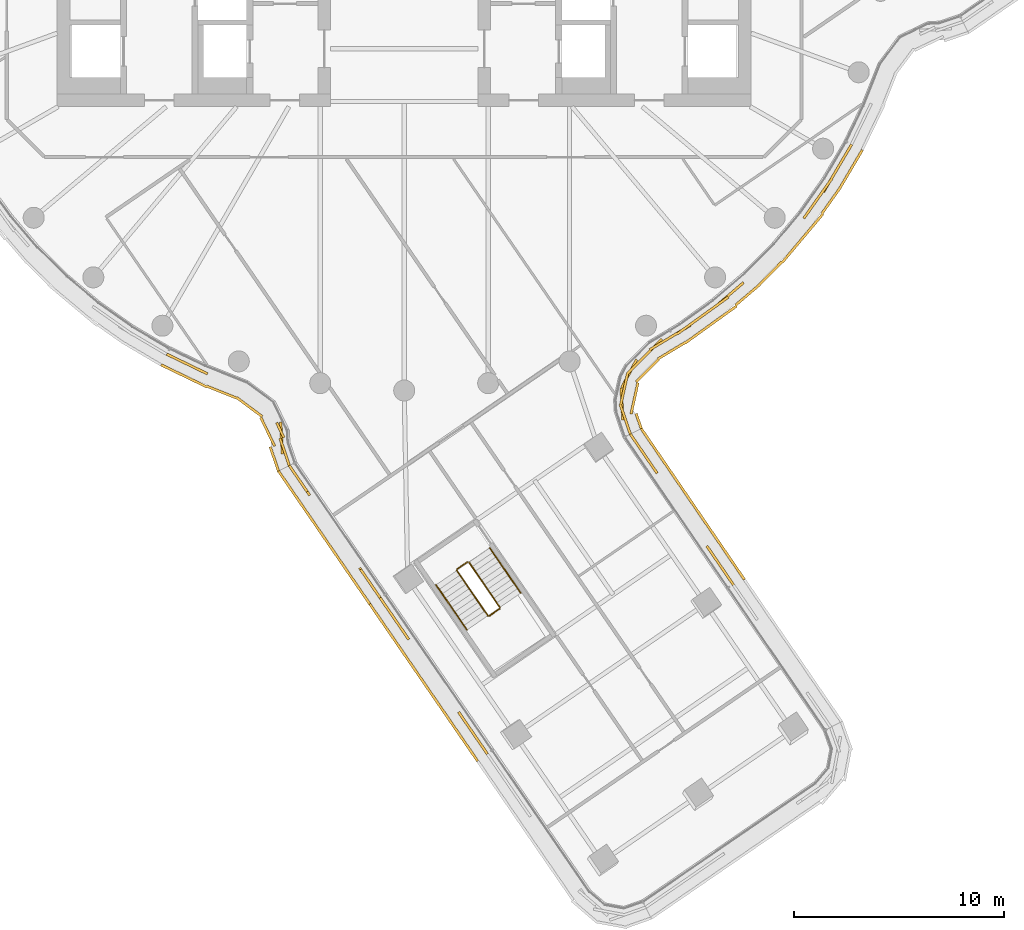
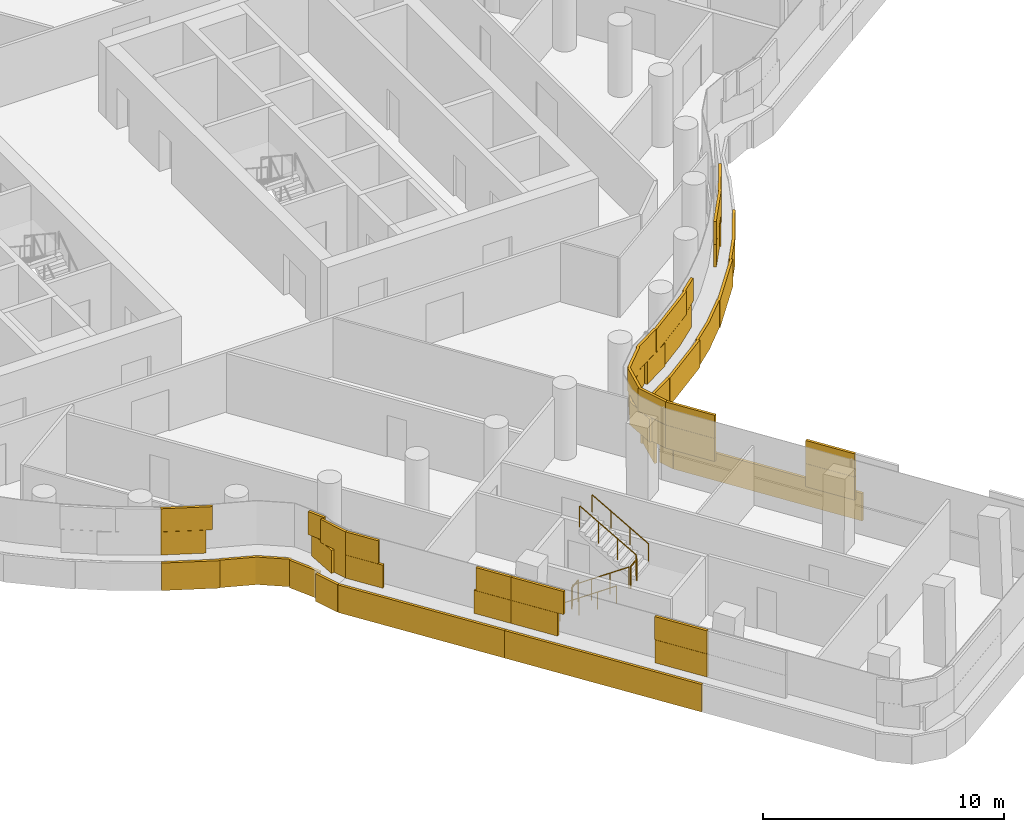
# One storey, part 28 of 33: 6 railings, 5 coverings.
"""IFC4 building model written with IfcOpenShell, lengths in metres."""

from ifc_helpers import new_model, si_unit, direction, frame, origin, origin_2d, place, context, subcontext, project, spatial, rectangle, circle, extrude, material, layer, layer_set, type_object, element, save


model = new_model("IFC4")

# Units and contexts
model_context = context("Model", 3, precision=1e-05, world=origin(), true_north=direction((0.0, 1.0)))
body_context = subcontext(model_context, "Body", "Model", "MODEL_VIEW")
ifc_project = project(units=[si_unit("LENGTHUNIT", "METRE"), si_unit("AREAUNIT", "SQUARE_METRE"), si_unit("VOLUMEUNIT", "CUBIC_METRE"), si_unit("PLANEANGLEUNIT", "RADIAN"), si_unit("MASSUNIT", "GRAM", prefix="KILO")], contexts=[model_context])

# Site, building, storey
site_placement = place(None, origin())
site = spatial("IfcSite", under=ifc_project, at=site_placement, CompositionType="ELEMENT")
building_placement = place(site_placement, origin())
building = spatial("IfcBuilding", under=site, at=building_placement, Name="Tamarind Cross Interchange Tower", CompositionType="ELEMENT")
storey_placement = place(building_placement, frame((0.0, 0.0, 159.25)))
storey = spatial("IfcBuildingStorey", under=building, at=storey_placement, Name="L39", CompositionType="ELEMENT", Elevation=159.25)

# Railings
ifc_material_1 = material(Name="Stair guard")
railing_type_1 = type_object("IfcRailingType", Name="Stair guard", PredefinedType="GUARDRAIL", material=ifc_material_1)
railing_1_placement = place(storey_placement, frame((2.503173828125, -31.562744140625, 0.17041015625)))
element("IfcRailing", 1, at=railing_1_placement, inside=storey, type_object=railing_type_1, Name="L39 ST6 stair guard 1", PredefinedType="GUARDRAIL", context=body_context, shape_type="SweptSolid", body=[
    extrude(circle(Radius=0.02392578125, at=origin_2d()), frame((0.0, 0.0, 1.076171875), z_axis=(0.473437544689, -0.689386001796, 0.548273500916), x_axis=(0.824329489188, 0.566110318979, 0.0)), (0.0, 0.0, 1.0), 3.109130859375),
    extrude(circle(Radius=0.02099609375, at=origin_2d()), origin(), (0.0, 0.0, 1.0), 1.052001953125),
    extrude(circle(Radius=0.02099609375, at=origin_2d()), frame((0.49072265625, -0.71435546875, 0.568115234375)), (0.0, 0.0, 1.0), 1.052001953125),
    extrude(circle(Radius=0.02099609375, at=origin_2d()), frame((0.981201171875, -1.428955078125, 1.136474609375)), (0.0, 0.0, 1.0), 1.052001953125),
    extrude(circle(Radius=0.02099609375, at=origin_2d()), frame((1.471923828125, -2.143310546875, 1.70458984375)), (0.0, 0.0, 1.0), 1.052001953125),
])
railing_2_placement = place(storey_placement, frame((4.04443359375, -33.718994140625, 1.875)))
element("IfcRailing", 2, at=railing_2_placement, inside=storey, type_object=railing_type_1, Name="L39 ST6 stair guard 2", PredefinedType="GUARDRAIL", context=body_context, shape_type="SweptSolid", body=[
    extrude(circle(Radius=0.02392578125, at=origin_2d()), frame((0.0, 0.0, 1.076171875), z_axis=(0.824397941764, 0.566010630303, 0.0), x_axis=(-0.566010630303, 0.824397941764, 0.0)), (0.0, 0.0, 1.0), 0.60009765625),
    extrude(circle(Radius=0.02099609375, at=origin_2d()), origin(), (0.0, 0.0, 1.0), 1.052001953125),
    extrude(circle(Radius=0.02099609375, at=origin_2d()), frame((0.49462890625, 0.339599609375, 0.0)), (0.0, 0.0, 1.0), 1.052001953125),
])
railing_3_placement = place(storey_placement, frame((4.552001953125, -33.309814453125, 2.04541015625)))
element("IfcRailing", 3, at=railing_3_placement, inside=storey, type_object=railing_type_1, Name="L39 ST6 stair guard 3", PredefinedType="GUARDRAIL", context=body_context, shape_type="SweptSolid", body=[
    extrude(circle(Radius=0.02392578125, at=origin_2d()), frame((0.0, 0.0, 1.076171875), z_axis=(-0.473437544689, 0.689386001796, 0.548273500916), x_axis=(-0.824329489188, -0.566110318979, 0.0)), (0.0, 0.0, 1.0), 3.109130859375),
    extrude(circle(Radius=0.02099609375, at=origin_2d()), origin(), (0.0, 0.0, 1.0), 1.052001953125),
    extrude(circle(Radius=0.02099609375, at=origin_2d()), frame((-0.49072265625, 0.71435546875, 0.568115234375)), (0.0, 0.0, 1.0), 1.052001953125),
    extrude(circle(Radius=0.02099609375, at=origin_2d()), frame((-0.981201171875, 1.428955078125, 1.136474609375)), (0.0, 0.0, 1.0), 1.052001953125),
    extrude(circle(Radius=0.02099609375, at=origin_2d()), frame((-1.471923828125, 2.143310546875, 1.70458984375)), (0.0, 0.0, 1.0), 1.052001953125),
])
railing_4_placement = place(storey_placement, frame((2.51611328125, -31.4931640625, 0.0)))
element("IfcRailing", 4, at=railing_4_placement, inside=storey, type_object=railing_type_1, Name="L39 ST6 stair guard 4", PredefinedType="GUARDRAIL", context=body_context, shape_type="SweptSolid", body=[
    extrude(circle(Radius=0.02392578125, at=origin_2d()), frame((0.0, 0.0, 1.076171875), z_axis=(0.824397941764, 0.566010630303, 0.0), x_axis=(-0.566010630303, 0.824397941764, 0.0)), (0.0, 0.0, 1.0), 0.60009765625),
    extrude(circle(Radius=0.02099609375, at=origin_2d()), origin(), (0.0, 0.0, 1.0), 1.052001953125),
    extrude(circle(Radius=0.02099609375, at=origin_2d()), frame((0.49462890625, 0.339599609375, 0.0)), (0.0, 0.0, 1.0), 1.052001953125),
])
ifc_material_2 = material(Name="Stair handrail")
railing_type_2 = type_object("IfcRailingType", Name="Stair handrail", PredefinedType="HANDRAIL", material=ifc_material_2)
railing_5_placement = place(storey_placement, frame((1.513916015625, -32.2421875, 0.17041015625)))
element("IfcRailing", 5, at=railing_5_placement, inside=storey, type_object=railing_type_2, Name="L39 ST6 stair handrail 1", PredefinedType="HANDRAIL", context=body_context, shape_type="SweptSolid", body=[
    extrude(circle(Radius=0.02392578125, at=origin_2d()), frame((0.0, 0.0, 0.8759765625), z_axis=(0.473437544689, -0.689386001796, 0.548273500916), x_axis=(0.824329489188, 0.566110318979, 0.0)), (0.0, 0.0, 1.0), 3.109130859375),
    extrude(circle(Radius=0.02099609375, at=origin_2d()), origin(), (0.0, 0.0, 1.0), 0.851806640625),
    extrude(circle(Radius=0.02099609375, at=origin_2d()), frame((0.49072265625, -0.71435546875, 0.568115234375)), (0.0, 0.0, 1.0), 0.851806640625),
    extrude(circle(Radius=0.02099609375, at=origin_2d()), frame((0.981201171875, -1.428955078125, 1.136474609375)), (0.0, 0.0, 1.0), 0.851806640625),
    extrude(circle(Radius=0.02099609375, at=origin_2d()), frame((1.471923828125, -2.143310546875, 1.70458984375)), (0.0, 0.0, 1.0), 0.851806640625),
])
railing_6_placement = place(storey_placement, frame((5.541259765625, -32.63037109375, 2.04541015625)))
element("IfcRailing", 6, at=railing_6_placement, inside=storey, type_object=railing_type_2, Name="L39 ST6 stair handrail 2", PredefinedType="HANDRAIL", context=body_context, shape_type="SweptSolid", body=[
    extrude(circle(Radius=0.02392578125, at=origin_2d()), frame((0.0, 0.0, 0.8759765625), z_axis=(-0.473463174954, 0.689344791798, 0.54830318254), x_axis=(-0.824299393218, -0.56615414009, 0.0)), (0.0, 0.0, 1.0), 3.10888671875),
    extrude(circle(Radius=0.02099609375, at=origin_2d()), origin(), (0.0, 0.0, 1.0), 0.851806640625),
    extrude(circle(Radius=0.02099609375, at=origin_2d()), frame((-0.49072265625, 0.71435546875, 0.568115234375)), (0.0, 0.0, 1.0), 0.851806640625),
    extrude(circle(Radius=0.02099609375, at=origin_2d()), frame((-0.981201171875, 1.4287109375, 1.136474609375)), (0.0, 0.0, 1.0), 0.851806640625),
    extrude(circle(Radius=0.02099609375, at=origin_2d()), frame((-1.471923828125, 2.14306640625, 1.70458984375)), (0.0, 0.0, 1.0), 0.851806640625),
])

# Coverings
ifc_material_3 = material(Name="Terracotta", Category="masonry")
ifc_layer = layer(ifc_material_3, 0.1201171875)
ifc_layer_set = layer_set([ifc_layer], Name="Terracotta")
covering_type = type_object("IfcCoveringType", Name="Terracotta baguette screen unit", PredefinedType="MOLDING", material=ifc_layer_set)
covering_1_placement = place(storey_placement, origin())
element("IfcCovering", 7, at=covering_1_placement, inside=storey, type_object=covering_type, Name="SCR-L39-02-01", PredefinedType="MOLDING", context=body_context, shape_type="SweptSolid", body=[
    extrude(rectangle(XDim=0.378173828125, YDim=0.1201171875, at=origin_2d()), frame((-11.124755859375, -21.351806640625, 1.404052734375), z_axis=(0.0, 0.0, 1.0), x_axis=(0.900272776334, -0.435326231914, 0.0)), (0.0, 0.0, 1.0), 1.1669921875),
    extrude(rectangle(XDim=1.52001953125, YDim=0.1201171875, at=origin_2d()), frame((-10.28369140625, -21.758544921875, 1.404052734375), z_axis=(0.0, 0.0, 1.0), x_axis=(0.900272776334, -0.435326231914, 0.0)), (0.0, 0.0, 1.0), 1.1669921875),
    extrude(rectangle(XDim=1.52001953125, YDim=0.1201171875, at=origin_2d()), frame((-5.8330078125, -25.2578125, 1.404052734375), z_axis=(0.0, 0.0, 1.0), x_axis=(0.053711641951, -0.998556487896, 0.0)), (0.0, 0.0, 1.0), 1.1669921875),
    extrude(rectangle(XDim=0.631591796875, YDim=0.1201171875, at=origin_2d()), frame((-5.5625, -26.27587890625, 1.404052734375), z_axis=(0.0, 0.0, 1.0), x_axis=(0.321913189658, -0.946769189573, 0.0)), (0.0, 0.0, 1.0), 1.1669921875),
    extrude(rectangle(XDim=1.128173828125, YDim=0.1201171875, at=origin_2d()), frame((-10.787109375, -21.51513671875, 2.5791015625), z_axis=(0.0, 0.0, 1.0), x_axis=(0.900272776334, -0.435326231914, 0.0)), (0.0, 0.0, 1.0), 1.1669921875),
    extrude(rectangle(XDim=1.03662109375, YDim=0.1201171875, at=origin_2d()), frame((-9.821533203125, -21.98193359375, 2.5791015625), z_axis=(0.0, 0.0, 1.0), x_axis=(0.900272776334, -0.435326231914, 0.0)), (0.0, 0.0, 1.0), 1.1669921875),
    extrude(rectangle(XDim=0.783203125, YDim=0.1201171875, at=origin_2d()), frame((-5.8935546875, -24.8818359375, 2.5791015625), z_axis=(0.0, 0.0, 1.0), x_axis=(0.434881491135, -0.900487694901, 0.0)), (0.0, 0.0, 1.0), 1.1669921875),
    extrude(rectangle(XDim=1.381591796875, YDim=0.1201171875, at=origin_2d()), frame((-5.68310546875, -25.9208984375, 2.5791015625), z_axis=(0.0, 0.0, 1.0), x_axis=(0.321913189658, -0.946769189573, 0.0)), (0.0, 0.0, 1.0), 1.1669921875),
    extrude(rectangle(XDim=0.93017578125, YDim=0.1201171875, at=origin_2d()), frame((-11.14111328125, -21.9814453125, 0.00390625), z_axis=(0.0, 0.0, 1.0), x_axis=(0.900272776334, -0.435326231914, 0.0)), (0.0, 0.0, 1.0), 1.39208984375),
    extrude(rectangle(XDim=1.52001953125, YDim=0.1201171875, at=origin_2d()), frame((-10.056396484375, -22.506103515625, 0.00390625), z_axis=(0.0, 0.0, 1.0), x_axis=(0.900272776334, -0.435326231914, 0.0)), (0.0, 0.0, 1.0), 1.39208984375),
    extrude(rectangle(XDim=1.52001953125, YDim=0.1201171875, at=origin_2d()), frame((-8.670654296875, -23.0791015625, 0.00390625), z_axis=(0.0, 0.0, 1.0), x_axis=(0.928961420688, -0.370176550951, 0.0)), (0.0, 0.0, 1.0), 1.39208984375),
    extrude(rectangle(XDim=1.52001953125, YDim=0.1201171875, at=origin_2d()), frame((-7.362060546875, -23.786376953125, 0.00390625), z_axis=(0.0, 0.0, 1.0), x_axis=(0.80214782086, -0.597125508992, 0.0)), (0.0, 0.0, 1.0), 1.39208984375),
    extrude(rectangle(XDim=1.52001953125, YDim=0.1201171875, at=origin_2d()), frame((-6.493896484375, -24.958740234375, 0.00390625), z_axis=(0.0, 0.0, 1.0), x_axis=(0.434881491135, -0.900487694901, 0.0)), (0.0, 0.0, 1.0), 1.39208984375),
    extrude(rectangle(XDim=1.21728515625, YDim=0.1201171875, at=origin_2d()), frame((-6.17626953125, -26.253662109375, 0.00390625), z_axis=(0.0, 0.0, 1.0), x_axis=(0.321913189658, -0.946769189573, 0.0)), (0.0, 0.0, 1.0), 1.39208984375),
])
covering_2_placement = place(storey_placement, origin())
element("IfcCovering", 8, at=covering_2_placement, inside=storey, type_object=covering_type, Name="SCR-L39-03-00", PredefinedType="MOLDING", context=body_context, shape_type="SweptSolid", body=[
    extrude(rectangle(XDim=0.760009765625, YDim=0.1201171875, at=origin_2d()), frame((-5.25, -26.87939453125, 1.404052734375), z_axis=(0.0, 0.0, 1.0), x_axis=(0.566095508429, -0.824339660174, 0.0)), (0.0, 0.0, 1.0), 1.1669921875),
    extrude(rectangle(XDim=0.969970703125, YDim=0.1201171875, at=origin_2d()), frame((-4.76611328125, -27.583984375, 1.404052734375), z_axis=(0.0, 0.0, 1.0), x_axis=(0.566095508429, -0.824339660174, 0.0)), (0.0, 0.0, 1.0), 1.1669921875),
    extrude(rectangle(XDim=0.85009765625, YDim=0.1201171875, at=origin_2d()), frame((-1.87890625, -31.788330078125, 1.404052734375), z_axis=(0.0, 0.0, 1.0), x_axis=(0.566095508429, -0.824339660174, 0.0)), (0.0, 0.0, 1.0), 1.1669921875),
    extrude(rectangle(XDim=0.8798828125, YDim=0.1201171875, at=origin_2d()), frame((-1.39501953125, -32.492919921875, 1.404052734375), z_axis=(0.0, 0.0, 1.0), x_axis=(0.566095508429, -0.824339660174, 0.0)), (0.0, 0.0, 1.0), 1.1669921875),
    extrude(rectangle(XDim=1.510009765625, YDim=0.1201171875, at=origin_2d()), frame((-5.037841796875, -27.1884765625, 2.5791015625), z_axis=(0.0, 0.0, 1.0), x_axis=(0.566095508429, -0.824339660174, 0.0)), (0.0, 0.0, 1.0), 1.1669921875),
    extrude(rectangle(XDim=1.52001953125, YDim=0.1201171875, at=origin_2d()), frame((-1.64111328125, -32.134521484375, 2.5791015625), z_axis=(0.0, 0.0, 1.0), x_axis=(0.566095508429, -0.824339660174, 0.0)), (0.0, 0.0, 1.0), 1.1669921875),
    extrude(rectangle(XDim=0.1298828125, YDim=0.1201171875, at=origin_2d()), frame((-1.1826171875, -32.802001953125, 2.5791015625), z_axis=(0.0, 0.0, 1.0), x_axis=(0.566095508429, -0.824339660174, 0.0)), (0.0, 0.0, 1.0), 1.1669921875),
    extrude(rectangle(XDim=0.760009765625, YDim=0.1201171875, at=origin_2d()), frame((-5.76513671875, -27.14306640625, 0.00390625), z_axis=(0.0, 0.0, 1.0), x_axis=(0.566095508429, -0.824339660174, 0.0)), (0.0, 0.0, 1.0), 1.39208984375),
    extrude(rectangle(XDim=1.52001953125, YDim=0.1201171875, at=origin_2d()), frame((-5.131103515625, -28.06640625, 0.00390625), z_axis=(0.0, 0.0, 1.0), x_axis=(0.566095508429, -0.824339660174, 0.0)), (0.0, 0.0, 1.0), 1.39208984375),
    extrude(rectangle(XDim=1.52001953125, YDim=0.1201171875, at=origin_2d()), frame((-4.281982421875, -29.302978515625, 0.00390625), z_axis=(0.0, 0.0, 1.0), x_axis=(0.566095508429, -0.824339660174, 0.0)), (0.0, 0.0, 1.0), 1.39208984375),
    extrude(rectangle(XDim=1.52001953125, YDim=0.1201171875, at=origin_2d()), frame((-3.432861328125, -30.539306640625, 0.00390625), z_axis=(0.0, 0.0, 1.0), x_axis=(0.566095508429, -0.824339660174, 0.0)), (0.0, 0.0, 1.0), 1.39208984375),
    extrude(rectangle(XDim=1.52001953125, YDim=0.1201171875, at=origin_2d()), frame((-2.583740234375, -31.77587890625, 0.00390625), z_axis=(0.0, 0.0, 1.0), x_axis=(0.566095508429, -0.824339660174, 0.0)), (0.0, 0.0, 1.0), 1.39208984375),
    extrude(rectangle(XDim=0.92724609375, YDim=0.1201171875, at=origin_2d()), frame((-1.90234375, -32.76806640625, 0.00390625), z_axis=(0.0, 0.0, 1.0), x_axis=(0.566095508429, -0.824339660174, 0.0)), (0.0, 0.0, 1.0), 1.39208984375),
])
covering_3_placement = place(storey_placement, origin())
element("IfcCovering", 9, at=covering_3_placement, inside=storey, type_object=covering_type, Name="SCR-L39-03-01", PredefinedType="MOLDING", context=body_context, shape_type="SweptSolid", body=[
    extrude(rectangle(XDim=0.64013671875, YDim=0.1201171875, at=origin_2d()), frame((-0.970458984375, -33.111328125, 1.404052734375), z_axis=(0.0, 0.0, 1.0), x_axis=(0.566095508429, -0.824339660174, 0.0)), (0.0, 0.0, 1.0), 1.1669921875),
    extrude(rectangle(XDim=1.52001953125, YDim=0.1201171875, at=origin_2d()), frame((-0.367431640625, -33.9892578125, 1.404052734375), z_axis=(0.0, 0.0, 1.0), x_axis=(0.566095508429, -0.824339660174, 0.0)), (0.0, 0.0, 1.0), 1.1669921875),
    extrude(rectangle(XDim=1.52001953125, YDim=0.1201171875, at=origin_2d()), frame((3.029052734375, -38.935302734375, 1.404052734375), z_axis=(0.0, 0.0, 1.0), x_axis=(0.566095508429, -0.824339660174, 0.0)), (0.0, 0.0, 1.0), 1.1669921875),
    extrude(rectangle(XDim=0.888671875, YDim=0.1201171875, at=origin_2d()), frame((3.702392578125, -39.915771484375, 1.404052734375), z_axis=(0.0, 0.0, 1.0), x_axis=(0.566095508429, -0.824339660174, 0.0)), (0.0, 0.0, 1.0), 1.1669921875),
    extrude(rectangle(XDim=1.39013671875, YDim=0.1201171875, at=origin_2d()), frame((-0.758056640625, -33.42041015625, 2.5791015625), z_axis=(0.0, 0.0, 1.0), x_axis=(0.566095508429, -0.824339660174, 0.0)), (0.0, 0.0, 1.0), 1.1669921875),
    extrude(rectangle(XDim=1.0341796875, YDim=0.1201171875, at=origin_2d()), frame((-0.07763671875, -34.411376953125, 2.5791015625), z_axis=(0.0, 0.0, 1.0), x_axis=(0.566095508429, -0.824339660174, 0.0)), (0.0, 0.0, 1.0), 1.1669921875),
    extrude(rectangle(XDim=0.78564453125, YDim=0.1201171875, at=origin_2d()), frame((2.8095703125, -38.615478515625, 2.5791015625), z_axis=(0.0, 0.0, 1.0), x_axis=(0.566095508429, -0.824339660174, 0.0)), (0.0, 0.0, 1.0), 1.1669921875),
    extrude(rectangle(XDim=1.52001953125, YDim=0.1201171875, at=origin_2d()), frame((3.45361328125, -39.553466796875, 2.5791015625), z_axis=(0.0, 0.0, 1.0), x_axis=(0.566095508429, -0.824339660174, 0.0)), (0.0, 0.0, 1.0), 1.1669921875),
    extrude(rectangle(XDim=0.138671875, YDim=0.1201171875, at=origin_2d()), frame((3.91455078125, -40.224853515625, 2.5791015625), z_axis=(0.0, 0.0, 1.0), x_axis=(0.566095508429, -0.824339660174, 0.0)), (0.0, 0.0, 1.0), 1.1669921875),
    extrude(rectangle(XDim=0.5927734375, YDim=0.1201171875, at=origin_2d()), frame((-1.47216796875, -33.39453125, 0.00390625), z_axis=(0.0, 0.0, 1.0), x_axis=(0.566095508429, -0.824339660174, 0.0)), (0.0, 0.0, 1.0), 1.39208984375),
    extrude(rectangle(XDim=1.52001953125, YDim=0.1201171875, at=origin_2d()), frame((-0.885498046875, -34.2490234375, 0.00390625), z_axis=(0.0, 0.0, 1.0), x_axis=(0.566095508429, -0.824339660174, 0.0)), (0.0, 0.0, 1.0), 1.39208984375),
    extrude(rectangle(XDim=1.52001953125, YDim=0.1201171875, at=origin_2d()), frame((-0.036376953125, -35.4853515625, 0.00390625), z_axis=(0.0, 0.0, 1.0), x_axis=(0.566095508429, -0.824339660174, 0.0)), (0.0, 0.0, 1.0), 1.39208984375),
    extrude(rectangle(XDim=1.52001953125, YDim=0.1201171875, at=origin_2d()), frame((0.812744140625, -36.721923828125, 0.00390625), z_axis=(0.0, 0.0, 1.0), x_axis=(0.566095508429, -0.824339660174, 0.0)), (0.0, 0.0, 1.0), 1.39208984375),
    extrude(rectangle(XDim=1.52001953125, YDim=0.1201171875, at=origin_2d()), frame((1.661865234375, -37.95849609375, 0.00390625), z_axis=(0.0, 0.0, 1.0), x_axis=(0.566095508429, -0.824339660174, 0.0)), (0.0, 0.0, 1.0), 1.39208984375),
    extrude(rectangle(XDim=1.52001953125, YDim=0.1201171875, at=origin_2d()), frame((2.510986328125, -39.195068359375, 0.00390625), z_axis=(0.0, 0.0, 1.0), x_axis=(0.566095508429, -0.824339660174, 0.0)), (0.0, 0.0, 1.0), 1.39208984375),
    extrude(rectangle(XDim=0.9921875, YDim=0.1201171875, at=origin_2d()), frame((3.2109375, -40.2138671875, 0.00390625), z_axis=(0.0, 0.0, 1.0), x_axis=(0.566095508429, -0.824339660174, 0.0)), (0.0, 0.0, 1.0), 1.39208984375),
])
covering_4_placement = place(storey_placement, origin())
element("IfcCovering", 10, at=covering_4_placement, inside=storey, type_object=covering_type, Name="SCR-L39-05-01", PredefinedType="MOLDING", context=body_context, shape_type="SweptSolid", body=[
    extrude(rectangle(XDim=0.06640625, YDim=0.1201171875, at=origin_2d()), frame((15.643798828125, -32.22412109375, 1.404052734375), z_axis=(0.0, 0.0, 1.0), x_axis=(-0.564300572341, 0.825569418072, 0.0)), (0.0, 0.0, 1.0), 1.1669921875),
    extrude(rectangle(XDim=1.52001953125, YDim=0.1201171875, at=origin_2d()), frame((15.20458984375, -31.581787109375, 1.404052734375), z_axis=(0.0, 0.0, 1.0), x_axis=(-0.564300572341, 0.825569418072, 0.0)), (0.0, 0.0, 1.0), 1.1669921875),
    extrude(rectangle(XDim=0.6982421875, YDim=0.1201171875, at=origin_2d()), frame((14.587158203125, -30.678466796875, 1.404052734375), z_axis=(0.0, 0.0, 1.0), x_axis=(-0.564300572341, 0.825569418072, 0.0)), (0.0, 0.0, 1.0), 1.1669921875),
    extrude(rectangle(XDim=1.12158203125, YDim=0.1201171875, at=origin_2d()), frame((11.709228515625, -26.468017578125, 1.404052734375), z_axis=(0.0, 0.0, 1.0), x_axis=(-0.564300572341, 0.825569418072, 0.0)), (0.0, 0.0, 1.0), 1.1669921875),
    extrude(rectangle(XDim=1.14306640625, YDim=0.1201171875, at=origin_2d()), frame((11.075927734375, -25.54150390625, 1.404052734375), z_axis=(0.0, 0.0, 1.0), x_axis=(-0.564300572341, 0.825569418072, 0.0)), (0.0, 0.0, 1.0), 1.1669921875),
    extrude(rectangle(XDim=0.81640625, YDim=0.1201171875, at=origin_2d()), frame((15.43212890625, -31.91455078125, 2.5791015625), z_axis=(0.0, 0.0, 1.0), x_axis=(-0.564300572341, 0.825569418072, 0.0)), (0.0, 0.0, 1.0), 1.1669921875),
    extrude(rectangle(XDim=1.4482421875, YDim=0.1201171875, at=origin_2d()), frame((14.798828125, -30.988037109375, 2.5791015625), z_axis=(0.0, 0.0, 1.0), x_axis=(-0.564300572341, 0.825569418072, 0.0)), (0.0, 0.0, 1.0), 1.1669921875),
    extrude(rectangle(XDim=0.37158203125, YDim=0.1201171875, at=origin_2d()), frame((11.9208984375, -26.777587890625, 2.5791015625), z_axis=(0.0, 0.0, 1.0), x_axis=(-0.564300572341, 0.825569418072, 0.0)), (0.0, 0.0, 1.0), 1.1669921875),
    extrude(rectangle(XDim=1.52001953125, YDim=0.1201171875, at=origin_2d()), frame((11.3955078125, -26.009033203125, 2.5791015625), z_axis=(0.0, 0.0, 1.0), x_axis=(-0.564300572341, 0.825569418072, 0.0)), (0.0, 0.0, 1.0), 1.1669921875),
    extrude(rectangle(XDim=0.39306640625, YDim=0.1201171875, at=origin_2d()), frame((10.8642578125, -25.23193359375, 2.5791015625), z_axis=(0.0, 0.0, 1.0), x_axis=(-0.564300572341, 0.825569418072, 0.0)), (0.0, 0.0, 1.0), 1.1669921875),
    extrude(rectangle(XDim=0.06787109375, YDim=0.1201171875, at=origin_2d()), frame((16.157470703125, -31.958740234375, 0.00390625), z_axis=(0.0, 0.0, 1.0), x_axis=(-0.564300572341, 0.825569418072, 0.0)), (0.0, 0.0, 1.0), 1.39208984375),
    extrude(rectangle(XDim=1.52001953125, YDim=0.1201171875, at=origin_2d()), frame((15.720703125, -31.319580078125, 0.00390625), z_axis=(0.0, 0.0, 1.0), x_axis=(-0.564300572341, 0.825569418072, 0.0)), (0.0, 0.0, 1.0), 1.39208984375),
    extrude(rectangle(XDim=1.52001953125, YDim=0.1201171875, at=origin_2d()), frame((14.874267578125, -30.081298828125, 0.00390625), z_axis=(0.0, 0.0, 1.0), x_axis=(-0.564300572341, 0.825569418072, 0.0)), (0.0, 0.0, 1.0), 1.39208984375),
    extrude(rectangle(XDim=1.52001953125, YDim=0.1201171875, at=origin_2d()), frame((14.02783203125, -28.843017578125, 0.00390625), z_axis=(0.0, 0.0, 1.0), x_axis=(-0.564300572341, 0.825569418072, 0.0)), (0.0, 0.0, 1.0), 1.39208984375),
    extrude(rectangle(XDim=1.52001953125, YDim=0.1201171875, at=origin_2d()), frame((13.181396484375, -27.604736328125, 0.00390625), z_axis=(0.0, 0.0, 1.0), x_axis=(-0.564300572341, 0.825569418072, 0.0)), (0.0, 0.0, 1.0), 1.39208984375),
    extrude(rectangle(XDim=1.52001953125, YDim=0.1201171875, at=origin_2d()), frame((12.3349609375, -26.3662109375, 0.00390625), z_axis=(0.0, 0.0, 1.0), x_axis=(-0.564300572341, 0.825569418072, 0.0)), (0.0, 0.0, 1.0), 1.39208984375),
    extrude(rectangle(XDim=1.139892578125, YDim=0.1201171875, at=origin_2d()), frame((11.595703125, -25.284912109375, 0.00390625), z_axis=(0.0, 0.0, 1.0), x_axis=(-0.564300572341, 0.825569418072, 0.0)), (0.0, 0.0, 1.0), 1.39208984375),
])
covering_5_placement = place(storey_placement, origin())
element("IfcCovering", 11, at=covering_5_placement, inside=storey, type_object=covering_type, Name="SCR-L39-06-00", PredefinedType="MOLDING", context=body_context, shape_type="SweptSolid", body=[
    extrude(rectangle(XDim=0.760009765625, YDim=0.1201171875, at=origin_2d()), frame((10.635009765625, -24.71875, 1.404052734375), z_axis=(0.0, 0.0, 1.0), x_axis=(-0.323315957278, 0.946291071378, 0.0)), (0.0, 0.0, 1.0), 1.1669921875),
    extrude(rectangle(XDim=1.52001953125, YDim=0.1201171875, at=origin_2d()), frame((10.356689453125, -23.6376953125, 1.404052734375), z_axis=(0.0, 0.0, 1.0), x_axis=(-0.056671143595, 0.998392899356, 0.0)), (0.0, 0.0, 1.0), 1.1669921875),
    extrude(rectangle(XDim=1.52001953125, YDim=0.1201171875, at=origin_2d()), frame((10.6982421875, -22.194091796875, 1.404052734375), z_axis=(0.0, 0.0, 1.0), x_axis=(0.469176955805, 0.883104175136, 0.0)), (0.0, 0.0, 1.0), 1.1669921875),
    extrude(rectangle(XDim=1.52001953125, YDim=0.1201171875, at=origin_2d()), frame((11.705322265625, -21.093994140625, 1.404052734375), z_axis=(0.0, 0.0, 1.0), x_axis=(0.707416020348, 0.706797406726, 0.0)), (0.0, 0.0, 1.0), 1.1669921875),
    extrude(rectangle(XDim=1.52001953125, YDim=0.1201171875, at=origin_2d()), frame((12.963623046875, -20.2861328125, 1.404052734375), z_axis=(0.0, 0.0, 1.0), x_axis=(0.856439295542, 0.51624774387, 0.0)), (0.0, 0.0, 1.0), 1.1669921875),
    extrude(rectangle(XDim=1.52001953125, YDim=0.1201171875, at=origin_2d()), frame((14.1962890625, -19.432861328125, 1.404052734375), z_axis=(0.0, 0.0, 1.0), x_axis=(0.811340475102, 0.584573890505, 0.0)), (0.0, 0.0, 1.0), 1.1669921875),
    extrude(rectangle(XDim=1.52001953125, YDim=0.1201171875, at=origin_2d()), frame((15.37939453125, -18.512939453125, 1.404052734375), z_axis=(0.0, 0.0, 1.0), x_axis=(0.760295606781, 0.64957723968, 0.0)), (0.0, 0.0, 1.0), 1.1669921875),
    extrude(rectangle(XDim=1.52001953125, YDim=0.1201171875, at=origin_2d()), frame((19.4697265625, -14.148193359375, 1.404052734375), z_axis=(0.0, 0.0, 1.0), x_axis=(0.577568978284, 0.816341886298, 0.0)), (0.0, 0.0, 1.0), 1.1669921875),
    extrude(rectangle(XDim=1.52001953125, YDim=0.1201171875, at=origin_2d()), frame((20.322021484375, -12.914794921875, 1.404052734375), z_axis=(0.0, 0.0, 1.0), x_axis=(0.508183308752, 0.861248933065, 0.0)), (0.0, 0.0, 1.0), 1.1669921875),
    extrude(rectangle(XDim=1.141845703125, YDim=0.1201171875, at=origin_2d()), frame((20.99072265625, -11.781494140625, 1.404052734375), z_axis=(0.0, 0.0, 1.0), x_axis=(0.508183308752, 0.861248933065, 0.0)), (0.0, 0.0, 1.0), 1.1669921875),
    extrude(rectangle(XDim=1.510009765625, YDim=0.1201171875, at=origin_2d()), frame((10.513671875, -24.364013671875, 2.5791015625), z_axis=(0.0, 0.0, 1.0), x_axis=(-0.323315957278, 0.946291071378, 0.0)), (0.0, 0.0, 1.0), 1.1669921875),
    extrude(rectangle(XDim=1.52001953125, YDim=0.1201171875, at=origin_2d()), frame((10.467529296875, -22.901123046875, 2.5791015625), z_axis=(0.0, 0.0, 1.0), x_axis=(0.214156797137, 0.976799296806, 0.0)), (0.0, 0.0, 1.0), 1.1669921875),
    extrude(rectangle(XDim=1.52001953125, YDim=0.1201171875, at=origin_2d()), frame((11.174560546875, -21.6240234375, 2.5791015625), z_axis=(0.0, 0.0, 1.0), x_axis=(0.707416020348, 0.706797406726, 0.0)), (0.0, 0.0, 1.0), 1.1669921875),
    extrude(rectangle(XDim=1.52001953125, YDim=0.1201171875, at=origin_2d()), frame((12.3212890625, -20.673095703125, 2.5791015625), z_axis=(0.0, 0.0, 1.0), x_axis=(0.856439295542, 0.51624774387, 0.0)), (0.0, 0.0, 1.0), 1.1669921875),
    extrude(rectangle(XDim=1.52001953125, YDim=0.1201171875, at=origin_2d()), frame((13.587890625, -19.871337890625, 2.5791015625), z_axis=(0.0, 0.0, 1.0), x_axis=(0.811340475102, 0.584573890505, 0.0)), (0.0, 0.0, 1.0), 1.1669921875),
    extrude(rectangle(XDim=1.52001953125, YDim=0.1201171875, at=origin_2d()), frame((14.804931640625, -18.994384765625, 2.5791015625), z_axis=(0.0, 0.0, 1.0), x_axis=(0.811340475102, 0.584573890505, 0.0)), (0.0, 0.0, 1.0), 1.1669921875),
    extrude(rectangle(XDim=1.002685546875, YDim=0.1201171875, at=origin_2d()), frame((15.7568359375, -18.1904296875, 2.5791015625), z_axis=(0.0, 0.0, 1.0), x_axis=(0.760295606781, 0.64957723968, 0.0)), (0.0, 0.0, 1.0), 1.1669921875),
    extrude(rectangle(XDim=0.8173828125, YDim=0.1201171875, at=origin_2d()), frame((19.236572265625, -14.477783203125, 2.5791015625), z_axis=(0.0, 0.0, 1.0), x_axis=(0.577568978284, 0.816341886298, 0.0)), (0.0, 0.0, 1.0), 1.1669921875),
    extrude(rectangle(XDim=1.52001953125, YDim=0.1201171875, at=origin_2d()), frame((19.90283203125, -13.535888671875, 2.5791015625), z_axis=(0.0, 0.0, 1.0), x_axis=(0.577568978284, 0.816341886298, 0.0)), (0.0, 0.0, 1.0), 1.1669921875),
    extrude(rectangle(XDim=1.52001953125, YDim=0.1201171875, at=origin_2d()), frame((20.703369140625, -12.268798828125, 2.5791015625), z_axis=(0.0, 0.0, 1.0), x_axis=(0.508183308752, 0.861248933065, 0.0)), (0.0, 0.0, 1.0), 1.1669921875),
    extrude(rectangle(XDim=0.391845703125, YDim=0.1201171875, at=origin_2d()), frame((21.181396484375, -11.45849609375, 2.5791015625), z_axis=(0.0, 0.0, 1.0), x_axis=(0.508183308752, 0.861248933065, 0.0)), (0.0, 0.0, 1.0), 1.1669921875),
    extrude(rectangle(XDim=0.760009765625, YDim=0.1201171875, at=origin_2d()), frame((11.151123046875, -24.45458984375, 0.00390625), z_axis=(0.0, 0.0, 1.0), x_axis=(-0.323315957278, 0.946291071378, 0.0)), (0.0, 0.0, 1.0), 1.39208984375),
    extrude(rectangle(XDim=1.52001953125, YDim=0.1201171875, at=origin_2d()), frame((10.95166015625, -23.372802734375, 0.00390625), z_axis=(0.0, 0.0, 1.0), x_axis=(0.214156797137, 0.976799296806, 0.0)), (0.0, 0.0, 1.0), 1.39208984375),
    extrude(rectangle(XDim=1.52001953125, YDim=0.1201171875, at=origin_2d()), frame((11.560791015625, -22.049560546875, 0.00390625), z_axis=(0.0, 0.0, 1.0), x_axis=(0.707416020348, 0.706797406726, 0.0)), (0.0, 0.0, 1.0), 1.39208984375),
    extrude(rectangle(XDim=1.52001953125, YDim=0.1201171875, at=origin_2d()), frame((12.7138671875, -21.10693359375, 0.00390625), z_axis=(0.0, 0.0, 1.0), x_axis=(0.856439295542, 0.51624774387, 0.0)), (0.0, 0.0, 1.0), 1.39208984375),
    extrude(rectangle(XDim=1.52001953125, YDim=0.1201171875, at=origin_2d()), frame((13.976318359375, -20.298828125, 0.00390625), z_axis=(0.0, 0.0, 1.0), x_axis=(0.811340475102, 0.584573890505, 0.0)), (0.0, 0.0, 1.0), 1.39208984375),
    extrude(rectangle(XDim=1.52001953125, YDim=0.1201171875, at=origin_2d()), frame((15.193115234375, -19.422119140625, 0.00390625), z_axis=(0.0, 0.0, 1.0), x_axis=(0.811340475102, 0.584573890505, 0.0)), (0.0, 0.0, 1.0), 1.39208984375),
    extrude(rectangle(XDim=1.52001953125, YDim=0.1201171875, at=origin_2d()), frame((16.3359375, -18.45068359375, 0.00390625), z_axis=(0.0, 0.0, 1.0), x_axis=(0.760295606781, 0.64957723968, 0.0)), (0.0, 0.0, 1.0), 1.39208984375),
    extrude(rectangle(XDim=1.52001953125, YDim=0.1201171875, at=origin_2d()), frame((17.425048828125, -17.4208984375, 0.00390625), z_axis=(0.0, 0.0, 1.0), x_axis=(0.704057148523, 0.710143317658, 0.0)), (0.0, 0.0, 1.0), 1.39208984375),
    extrude(rectangle(XDim=1.52001953125, YDim=0.1201171875, at=origin_2d()), frame((18.4580078125, -16.33447265625, 0.00390625), z_axis=(0.0, 0.0, 1.0), x_axis=(0.643009266048, 0.765858396687, 0.0)), (0.0, 0.0, 1.0), 1.39208984375),
    extrude(rectangle(XDim=1.52001953125, YDim=0.1201171875, at=origin_2d()), frame((19.42236328125, -15.185791015625, 0.00390625), z_axis=(0.0, 0.0, 1.0), x_axis=(0.643009266048, 0.765858396687, 0.0)), (0.0, 0.0, 1.0), 1.39208984375),
    extrude(rectangle(XDim=1.52001953125, YDim=0.1201171875, at=origin_2d()), frame((20.29931640625, -13.96923828125, 0.00390625), z_axis=(0.0, 0.0, 1.0), x_axis=(0.577568978284, 0.816341886298, 0.0)), (0.0, 0.0, 1.0), 1.39208984375),
    extrude(rectangle(XDim=1.52001953125, YDim=0.1201171875, at=origin_2d()), frame((21.110107421875, -12.708740234375, 0.00390625), z_axis=(0.0, 0.0, 1.0), x_axis=(0.508183308752, 0.861248933065, 0.0)), (0.0, 0.0, 1.0), 1.39208984375),
    extrude(rectangle(XDim=0.58984375, YDim=0.1201171875, at=origin_2d()), frame((21.635986328125, -11.817626953125, 0.00390625), z_axis=(0.0, 0.0, 1.0), x_axis=(0.508183308752, 0.861248933065, 0.0)), (0.0, 0.0, 1.0), 1.39208984375),
])

save(model, "model.ifc")
